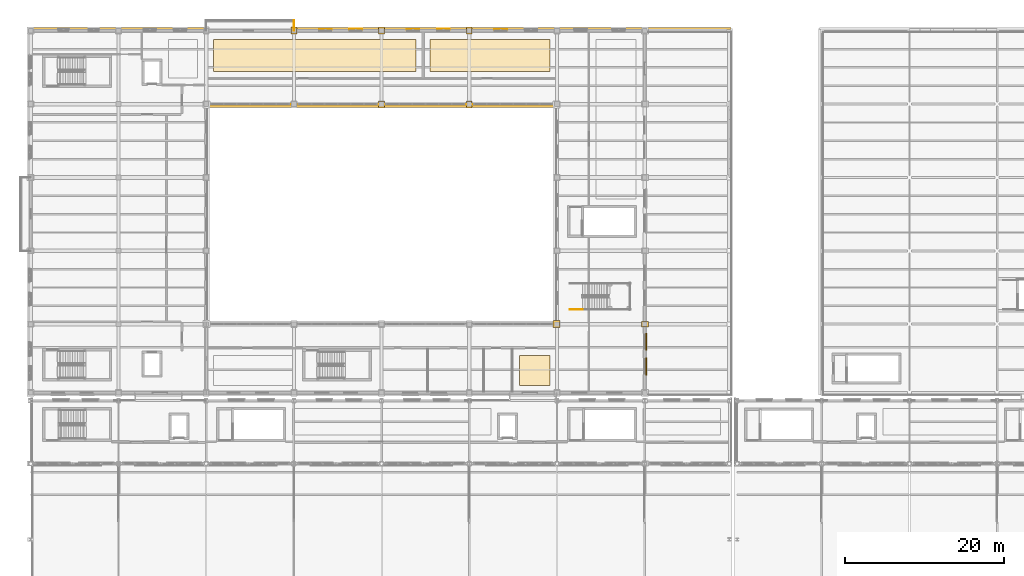
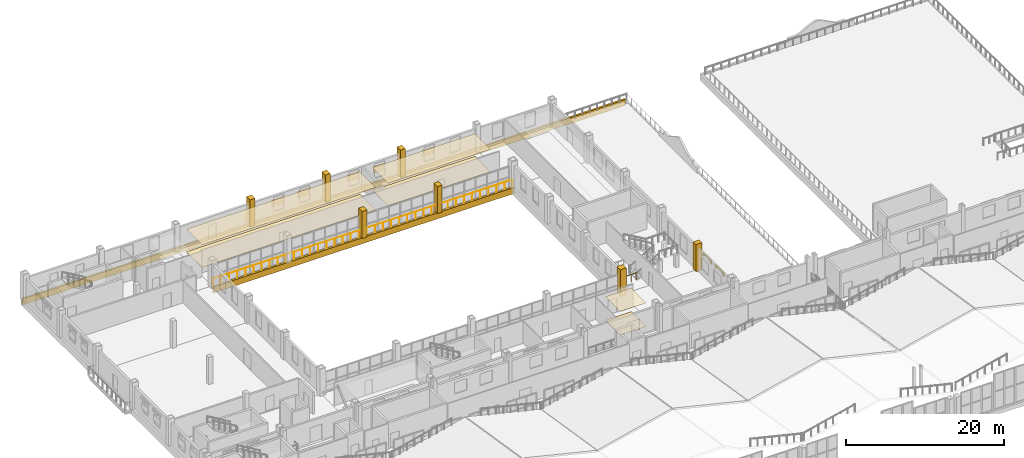
# One storey, part 115 of 120: 17 coverings, 5 shading devices, 3 railings.
"""IFC4 building model written with IfcOpenShell, lengths in metres."""

from ifc_helpers import new_model, si_unit, direction, frame, frame_2d, origin, origin_2d, place, context, subcontext, project, spatial, polyline, rectangle, circle, outline, extrude, material, layer, layer_set, type_object, element, save


model = new_model("IFC4")

# Units and contexts
model_context = context("Model", 3, precision=1e-05, world=origin(), true_north=direction((0.0, 1.0)))
body_context = subcontext(model_context, "Body", "Model", "MODEL_VIEW")
ifc_project = project(units=[si_unit("LENGTHUNIT", "METRE"), si_unit("AREAUNIT", "SQUARE_METRE"), si_unit("VOLUMEUNIT", "CUBIC_METRE"), si_unit("PLANEANGLEUNIT", "RADIAN"), si_unit("MASSUNIT", "GRAM", prefix="KILO")], contexts=[model_context])

# Site, building, storey
site_placement = place(None, origin())
site = spatial("IfcSite", under=ifc_project, at=site_placement, CompositionType="ELEMENT")
building_placement = place(site_placement, origin())
building = spatial("IfcBuilding", under=site, at=building_placement, Name="Caurita Quay Ferry Terminal", CompositionType="ELEMENT")
storey_placement = place(building_placement, frame((0.0, 0.0, 9.89990234375)))
storey = spatial("IfcBuildingStorey", under=building, at=storey_placement, Name="L02", CompositionType="ELEMENT", Elevation=9.89990234375)

# Coverings
ifc_material_1 = material(Name="Acoustic mineral fibre tile", Category="finish")
ifc_layer_1 = layer(ifc_material_1, 0.02001953125, Name="Acoustic mineral-fibre suspended ceiling 20 mm")
ifc_layer_set_1 = layer_set([ifc_layer_1], Name="Acoustic mineral fibre tile")
covering_type_1 = type_object("IfcCoveringType", Name="COV-CEIL-020", PredefinedType="CEILING", material=ifc_layer_set_1)
covering_1_placement = place(storey_placement, frame((0.0, 0.0, 3.51220703125)))
element("IfcCovering", 1, at=covering_1_placement, inside=storey, type_object=covering_type_1, Name="Customs and Excise Port Administration Suite Acoustic Ceiling", PredefinedType="CEILING", context=body_context, shape_type="SweptSolid", body=[
    extrude(outline(polyline([(22.89990234375, 111.89990234375), (48.300048828125, 111.89990234375), (48.300048828125, 115.89990234375), (22.89990234375, 115.89990234375), (22.89990234375, 111.89990234375)])), origin(), (0.0, 0.0, 1.0), 0.019775390625),
])
covering_2_placement = place(storey_placement, frame((0.0, 0.0, 3.51220703125)))
element("IfcCovering", 2, at=covering_2_placement, inside=storey, type_object=covering_type_1, Name="Port IT and Telemetry Server Room Acoustic Ceiling", PredefinedType="CEILING", context=body_context, shape_type="SweptSolid", body=[
    extrude(outline(polyline([(50.10009765625, 111.89990234375), (65.10009765625, 111.89990234375), (65.10009765625, 115.89990234375), (50.10009765625, 115.89990234375), (50.10009765625, 111.89990234375)])), origin(), (0.0, 0.0, 1.0), 0.019775390625),
])
covering_3_placement = place(storey_placement, frame((0.0, 0.0, 3.65478515625)))
element("IfcCovering", 3, at=covering_3_placement, inside=storey, type_object=covering_type_1, Name="Gallery Cleaners Store L02 Acoustic Ceiling", PredefinedType="CEILING", context=body_context, shape_type="SweptSolid", body=[
    extrude(outline(polyline([(61.300048828125, 72.5), (65.10009765625, 72.5), (65.10009765625, 76.300048828125), (61.300048828125, 76.300048828125), (61.300048828125, 72.5)])), origin(), (0.0, 0.0, 1.0), 0.02001953125),
])
ifc_material_2 = material(Name="Coral stone ashlar cladding", Category="masonry")
ifc_layer_2 = layer(ifc_material_2, 0.239990234375, Name="Classical coral-stone entablature and cornice moulding 240 mm")
ifc_layer_set_2 = layer_set([ifc_layer_2], Name="Coral stone ashlar cladding")
covering_type_2 = type_object("IfcCoveringType", Name="COV-ENT-MLD", PredefinedType="MOLDING", material=ifc_layer_set_2)
covering_4_placement = place(storey_placement, frame((87.85009765625, 117.300048828125, -0.849853515625), z_axis=(0.0, 0.0, 1.0), x_axis=(-1.0, 0.0, 0.0)))
element("IfcCovering", 4, at=covering_4_placement, inside=storey, type_object=covering_type_2, Name="L02 Classical Entablature Cornice 002", PredefinedType="MOLDING", context=body_context, shape_type="SweptSolid", body=[
    extrude(rectangle(XDim=88.150146484375, YDim=0.280029296875, at=frame_2d((44.0751953125, 0.0))), origin(), (0.0, 0.0, 1.0), 0.929931640625),
])
covering_5_placement = place(storey_placement, frame((66.0, 107.52001953125, -0.849853515625), z_axis=(0.0, 0.0, 1.0), x_axis=(-1.0, 0.0, 0.0)))
element("IfcCovering", 5, at=covering_5_placement, inside=storey, type_object=covering_type_2, Name="L02 Classical Entablature Cornice 024", PredefinedType="MOLDING", context=body_context, shape_type="SweptSolid", body=[
    extrude(rectangle(XDim=44.0, YDim=0.280029296875, at=frame_2d((22.0, 0.0))), origin(), (0.0, 0.0, 1.0), 0.929931640625),
])
ifc_material_3 = material(Name="Polished marine terrazzo tile", Category="finish")
ifc_layer_3 = layer(ifc_material_3, 0.02490234375, Name="Polished marine terrazzo floor finish 25 mm")
ifc_layer_set_3 = layer_set([ifc_layer_3], Name="Polished marine terrazzo tile")
covering_type_3 = type_object("IfcCoveringType", Name="COV-FLR-025", PredefinedType="FLOORING", material=ifc_layer_set_3)
covering_6_placement = place(storey_placement, origin())
element("IfcCovering", 6, at=covering_6_placement, inside=storey, type_object=covering_type_3, Name="Customs and Excise Port Administration Suite Terrazzo Flooring", PredefinedType="FLOORING", context=body_context, shape_type="SweptSolid", body=[
    extrude(outline(polyline([(22.89990234375, 111.89990234375), (48.300048828125, 111.89990234375), (48.300048828125, 115.89990234375), (22.89990234375, 115.89990234375), (22.89990234375, 111.89990234375)])), origin(), (0.0, 0.0, 1.0), 0.025146484375),
])
covering_7_placement = place(storey_placement, origin())
element("IfcCovering", 7, at=covering_7_placement, inside=storey, type_object=covering_type_3, Name="Port IT and Telemetry Server Room Terrazzo Flooring", PredefinedType="FLOORING", context=body_context, shape_type="SweptSolid", body=[
    extrude(outline(polyline([(50.10009765625, 111.89990234375), (65.10009765625, 111.89990234375), (65.10009765625, 115.89990234375), (50.10009765625, 115.89990234375), (50.10009765625, 111.89990234375)])), origin(), (0.0, 0.0, 1.0), 0.025146484375),
])
covering_8_placement = place(storey_placement, origin())
element("IfcCovering", 8, at=covering_8_placement, inside=storey, type_object=covering_type_3, Name="Gallery Cleaners Store L02 Terrazzo Flooring", PredefinedType="FLOORING", context=body_context, shape_type="SweptSolid", body=[
    extrude(outline(polyline([(61.300048828125, 72.5), (65.10009765625, 72.5), (65.10009765625, 76.300048828125), (61.300048828125, 76.300048828125), (61.300048828125, 72.5)])), origin(), (0.0, 0.0, 1.0), 0.025146484375),
])
ifc_material_4 = material(Name="Warm-white lime stucco masonry", Category="masonry")
ifc_layer_4 = layer(ifc_material_4, 0.179931640625, Name="Classical engaged lime-stucco facade pilaster cladding 180 mm")
ifc_layer_set_4 = layer_set([ifc_layer_4], Name="Warm-white lime stucco masonry")
covering_type_4 = type_object("IfcCoveringType", Name="COV-PIL-CLD", PredefinedType="CLADDING", material=ifc_layer_set_4)
for number, where, z_axis, x_axis, name in (
    (9, (33.0, 117.050048828125, 0.0), (0.0, 0.0, 1.0), (1.0, 0.0, 0.0), "L02 Classical Engaged Pilaster 0340"),
    (10, (44.0, 107.75, 0.0), (0.0, 0.0, 1.0), (1.0, 0.0, 0.0), "L02 Classical Engaged Pilaster 0350"),
    (11, (44.0, 117.050048828125, 0.0), (0.0, 0.0, 1.0), (1.0, 0.0, 0.0), "L02 Classical Engaged Pilaster 0354"),
    (12, (55.0, 107.75, 0.0), (0.0, 0.0, 1.0), (1.0, 0.0, 0.0), "L02 Classical Engaged Pilaster 0362"),
    (13, (55.0, 117.050048828125, 0.0), (0.0, 0.0, 1.0), (1.0, 0.0, 0.0), "L02 Classical Engaged Pilaster 0366"),
):
    element("IfcCovering", number, at=place(storey_placement, frame(where, z_axis=z_axis, x_axis=x_axis)), inside=storey, type_object=covering_type_4, Name=name, PredefinedType="CLADDING", context=body_context, shape_type="SweptSolid", body=[
        extrude(rectangle(XDim=0.719970703125, YDim=0.8798828125, at=origin_2d()), origin(), (0.0, 0.0, 1.0), 4.199951171875),
    ])
covering_9_placement = place(storey_placement, frame((65.949951171875, 80.25, 0.0), z_axis=(0.0, 0.0, 1.0), x_axis=(1.0, 0.0, 0.0)))
element("IfcCovering", 14, at=covering_9_placement, inside=storey, type_object=covering_type_4, Name="L02 Classical Engaged Pilaster 0372", PredefinedType="CLADDING", context=body_context, shape_type="SweptSolid", body=[
    extrude(rectangle(XDim=0.8798828125, YDim=0.8798828125, at=origin_2d()), origin(), (0.0, 0.0, 1.0), 4.199951171875),
])
covering_10_placement = place(storey_placement, frame((77.050048828125, 80.199951171875, 0.0), z_axis=(0.0, 0.0, 1.0), x_axis=(1.0, 0.0, 0.0)))
element("IfcCovering", 15, at=covering_10_placement, inside=storey, type_object=covering_type_4, Name="L02 Classical Engaged Pilaster 0387", PredefinedType="CLADDING", context=body_context, shape_type="SweptSolid", body=[
    extrude(rectangle(XDim=0.8798828125, YDim=0.719970703125, at=origin_2d()), origin(), (0.0, 0.0, 1.0), 4.199951171875),
])
ifc_layer_5 = layer(ifc_material_2, 0.139892578125, Name="Spanish Colonial semicircular arched window surround 140 mm")
ifc_layer_set_5 = layer_set([ifc_layer_5], Name="Coral stone ashlar cladding")
covering_type_5 = type_object("IfcCoveringType", Name="COV-WHD-MLD", PredefinedType="MOLDING", material=ifc_layer_set_5)
covering_11_placement = place(storey_placement, frame((77.199951171875, 73.820068359375, 2.72998046875), z_axis=(0.0, 0.0, 1.0), x_axis=(0.0, 1.0, 0.0)))
element("IfcCovering", 16, at=covering_11_placement, inside=storey, type_object=covering_type_5, Name="L02 Arched Window Surround 091", PredefinedType="MOLDING", context=body_context, shape_type="SweptSolid", body=[
    extrude(outline(polyline([(0.0, 0.0), (0.159912109375, 0.0), (0.159912109375, 0.0400390625), (0.205078125, 0.1728515625), (0.335693359375, 0.292724609375), (0.539306640625, 0.387939453125), (0.795654296875, 0.448974609375), (1.080078125, 0.469970703125), (1.3642578125, 0.448974609375), (1.62060546875, 0.387939453125), (1.82421875, 0.292724609375), (1.954833984375, 0.1728515625), (2.0, 0.0400390625), (2.0, 0.0), (2.159912109375, 0.0), (2.159912109375, 0.550048828125), (0.0, 0.550048828125), (0.0, 0.0)])), frame((0.0, 0.06982421875, 0.0), z_axis=(0.0, -1.0, 0.0), x_axis=(1.0, 0.0, 0.0)), (0.0, 0.0, 1.0), 0.139892578125),
])
covering_12_placement = place(storey_placement, frame((77.199951171875, 76.919921875, 2.72998046875), z_axis=(0.0, 0.0, 1.0), x_axis=(0.0, 1.0, 0.0)))
element("IfcCovering", 17, at=covering_12_placement, inside=storey, type_object=covering_type_5, Name="L02 Arched Window Surround 092", PredefinedType="MOLDING", context=body_context, shape_type="SweptSolid", body=[
    extrude(outline(polyline([(0.0, 0.0), (0.159912109375, 0.0), (0.159912109375, 0.0400390625), (0.205078125, 0.1728515625), (0.335693359375, 0.292724609375), (0.539306640625, 0.387939453125), (0.795654296875, 0.448974609375), (1.080078125, 0.469970703125), (1.364501953125, 0.448974609375), (1.620849609375, 0.387939453125), (1.824462890625, 0.292724609375), (1.955078125, 0.1728515625), (2.000244140625, 0.0400390625), (2.000244140625, 0.0), (2.16015625, 0.0), (2.16015625, 0.550048828125), (0.0, 0.550048828125), (0.0, 0.0)])), frame((0.0, 0.06982421875, 0.0), z_axis=(0.0, -1.0, 0.0), x_axis=(1.0, 0.0, 0.0)), (0.0, 0.0, 1.0), 0.139892578125),
])

# Railings
ifc_material_5 = material(Name="Bronze architectural metalwork", Category="metal")
railing_type = type_object("IfcRailingType", Name="RL-REJA-115", PredefinedType="BALUSTRADE", material=ifc_material_5)
railing_1_placement = place(storey_placement, frame((65.89990234375, 107.75, 0.0)))
element("IfcRailing", 18, at=railing_1_placement, inside=storey, type_object=railing_type, Name="L02 Courtyard Cloister Guard (088)", PredefinedType="BALUSTRADE", context=body_context, shape_type="SweptSolid", body=[
    extrude(circle(Radius=0.02392578125, at=origin_2d()), frame((0.0, 0.0, 1.1259765625), z_axis=(-1.0, 0.0, 0.0), x_axis=(0.0, -1.0, 0.0)), (0.0, 0.0, 1.0), 43.7998046875),
    extrude(circle(Radius=0.02099609375, at=origin_2d()), origin(), (0.0, 0.0, 1.0), 1.101806640625),
    extrude(circle(Radius=0.02099609375, at=origin_2d()), frame((-1.183837890625, 0.0, 0.0)), (0.0, 0.0, 1.0), 1.101806640625),
    extrude(circle(Radius=0.02099609375, at=origin_2d()), frame((-2.36767578125, 0.0, 0.0)), (0.0, 0.0, 1.0), 1.101806640625),
    extrude(circle(Radius=0.02099609375, at=origin_2d()), frame((-3.55126953125, 0.0, 0.0)), (0.0, 0.0, 1.0), 1.101806640625),
    extrude(circle(Radius=0.02099609375, at=origin_2d()), frame((-4.735107421875, 0.0, 0.0)), (0.0, 0.0, 1.0), 1.101806640625),
    extrude(circle(Radius=0.02099609375, at=origin_2d()), frame((-5.9189453125, 0.0, 0.0)), (0.0, 0.0, 1.0), 1.101806640625),
    extrude(circle(Radius=0.02099609375, at=origin_2d()), frame((-7.102783203125, 0.0, 0.0)), (0.0, 0.0, 1.0), 1.101806640625),
    extrude(circle(Radius=0.02099609375, at=origin_2d()), frame((-8.286376953125, 0.0, 0.0)), (0.0, 0.0, 1.0), 1.101806640625),
    extrude(circle(Radius=0.02099609375, at=origin_2d()), frame((-9.47021484375, 0.0, 0.0)), (0.0, 0.0, 1.0), 1.101806640625),
    extrude(circle(Radius=0.02099609375, at=origin_2d()), frame((-10.654052734375, 0.0, 0.0)), (0.0, 0.0, 1.0), 1.101806640625),
    extrude(circle(Radius=0.02099609375, at=origin_2d()), frame((-11.837890625, 0.0, 0.0)), (0.0, 0.0, 1.0), 1.101806640625),
    extrude(circle(Radius=0.02099609375, at=origin_2d()), frame((-13.021484375, 0.0, 0.0)), (0.0, 0.0, 1.0), 1.101806640625),
    extrude(circle(Radius=0.02099609375, at=origin_2d()), frame((-14.205322265625, 0.0, 0.0)), (0.0, 0.0, 1.0), 1.101806640625),
    extrude(circle(Radius=0.02099609375, at=origin_2d()), frame((-15.38916015625, 0.0, 0.0)), (0.0, 0.0, 1.0), 1.101806640625),
    extrude(circle(Radius=0.02099609375, at=origin_2d()), frame((-16.572998046875, 0.0, 0.0)), (0.0, 0.0, 1.0), 1.101806640625),
    extrude(circle(Radius=0.02099609375, at=origin_2d()), frame((-17.756591796875, 0.0, 0.0)), (0.0, 0.0, 1.0), 1.101806640625),
    extrude(circle(Radius=0.02099609375, at=origin_2d()), frame((-18.9404296875, 0.0, 0.0)), (0.0, 0.0, 1.0), 1.101806640625),
    extrude(circle(Radius=0.02099609375, at=origin_2d()), frame((-20.124267578125, 0.0, 0.0)), (0.0, 0.0, 1.0), 1.101806640625),
    extrude(circle(Radius=0.02099609375, at=origin_2d()), frame((-21.30810546875, 0.0, 0.0)), (0.0, 0.0, 1.0), 1.101806640625),
    extrude(circle(Radius=0.02099609375, at=origin_2d()), frame((-22.49169921875, 0.0, 0.0)), (0.0, 0.0, 1.0), 1.101806640625),
    extrude(circle(Radius=0.02099609375, at=origin_2d()), frame((-23.675537109375, 0.0, 0.0)), (0.0, 0.0, 1.0), 1.101806640625),
    extrude(circle(Radius=0.02099609375, at=origin_2d()), frame((-24.859375, 0.0, 0.0)), (0.0, 0.0, 1.0), 1.101806640625),
    extrude(circle(Radius=0.02099609375, at=origin_2d()), frame((-26.043212890625, 0.0, 0.0)), (0.0, 0.0, 1.0), 1.101806640625),
    extrude(circle(Radius=0.02099609375, at=origin_2d()), frame((-27.226806640625, 0.0, 0.0)), (0.0, 0.0, 1.0), 1.101806640625),
    extrude(circle(Radius=0.02099609375, at=origin_2d()), frame((-28.41064453125, 0.0, 0.0)), (0.0, 0.0, 1.0), 1.101806640625),
    extrude(circle(Radius=0.02099609375, at=origin_2d()), frame((-29.594482421875, 0.0, 0.0)), (0.0, 0.0, 1.0), 1.101806640625),
    extrude(circle(Radius=0.02099609375, at=origin_2d()), frame((-30.7783203125, 0.0, 0.0)), (0.0, 0.0, 1.0), 1.101806640625),
    extrude(circle(Radius=0.02099609375, at=origin_2d()), frame((-31.9619140625, 0.0, 0.0)), (0.0, 0.0, 1.0), 1.101806640625),
    extrude(circle(Radius=0.02099609375, at=origin_2d()), frame((-33.145751953125, 0.0, 0.0)), (0.0, 0.0, 1.0), 1.101806640625),
    extrude(circle(Radius=0.02099609375, at=origin_2d()), frame((-34.32958984375, 0.0, 0.0)), (0.0, 0.0, 1.0), 1.101806640625),
    extrude(circle(Radius=0.02099609375, at=origin_2d()), frame((-35.513427734375, 0.0, 0.0)), (0.0, 0.0, 1.0), 1.101806640625),
    extrude(circle(Radius=0.02099609375, at=origin_2d()), frame((-36.697021484375, 0.0, 0.0)), (0.0, 0.0, 1.0), 1.101806640625),
    extrude(circle(Radius=0.02099609375, at=origin_2d()), frame((-37.880859375, 0.0, 0.0)), (0.0, 0.0, 1.0), 1.101806640625),
    extrude(circle(Radius=0.02099609375, at=origin_2d()), frame((-39.064697265625, 0.0, 0.0)), (0.0, 0.0, 1.0), 1.101806640625),
    extrude(circle(Radius=0.02099609375, at=origin_2d()), frame((-40.24853515625, 0.0, 0.0)), (0.0, 0.0, 1.0), 1.101806640625),
    extrude(circle(Radius=0.02099609375, at=origin_2d()), frame((-41.43212890625, 0.0, 0.0)), (0.0, 0.0, 1.0), 1.101806640625),
    extrude(circle(Radius=0.02099609375, at=origin_2d()), frame((-42.615966796875, 0.0, 0.0)), (0.0, 0.0, 1.0), 1.101806640625),
    extrude(circle(Radius=0.02099609375, at=origin_2d()), frame((-43.7998046875, 0.0, 0.0)), (0.0, 0.0, 1.0), 1.101806640625),
])
railing_2_placement = place(storey_placement, frame((33.02001953125, 118.280029296875, 0.0)))
element("IfcRailing", 19, at=railing_2_placement, inside=storey, type_object=railing_type, Name="L02 Customs Rejas Balcony Balustrade (124)", PredefinedType="BALUSTRADE", context=body_context, shape_type="SweptSolid", body=[
    extrude(circle(Radius=0.02392578125, at=origin_2d()), frame((0.0, 0.0, 1.1259765625), z_axis=(0.0, -1.0, 0.0), x_axis=(1.0, 0.0, 0.0)), (0.0, 0.0, 1.0), 1.22998046875),
    extrude(circle(Radius=0.02099609375, at=origin_2d()), origin(), (0.0, 0.0, 1.0), 1.101806640625),
    extrude(circle(Radius=0.02099609375, at=origin_2d()), frame((0.0, -0.614990234375, 0.0)), (0.0, 0.0, 1.0), 1.101806640625),
    extrude(circle(Radius=0.02099609375, at=origin_2d()), frame((0.0, -1.22998046875, 0.0)), (0.0, 0.0, 1.0), 1.101806640625),
])
railing_3_placement = place(storey_placement, frame((67.60009765625, 82.050048828125, 0.0)))
element("IfcRailing", 20, at=railing_3_placement, inside=storey, type_object=railing_type, Name="L02 ST-14 stair guard 8", PredefinedType="BALUSTRADE", context=body_context, shape_type="SweptSolid", body=[
    extrude(circle(Radius=0.02392578125, at=origin_2d()), frame((0.0, 0.0, 1.1259765625), z_axis=(1.0, 0.0, 0.0), x_axis=(0.0, 1.0, 0.0)), (0.0, 0.0, 1.0), 1.599853515625),
    extrude(circle(Radius=0.02099609375, at=origin_2d()), origin(), (0.0, 0.0, 1.0), 1.101806640625),
    extrude(circle(Radius=0.02099609375, at=origin_2d()), frame((0.7998046875, 0.0, 0.0)), (0.0, 0.0, 1.0), 1.101806640625),
    extrude(circle(Radius=0.02099609375, at=origin_2d()), frame((1.599853515625, 0.0, 0.0)), (0.0, 0.0, 1.0), 1.101806640625),
])

# Shading devices
shading_device_type_1 = type_object("IfcShadingDeviceType", Name="SHD-JAL-01", PredefinedType="JALOUSIE", material=ifc_material_5)
for number, where, z_axis, x_axis, name in (
    (21, (40.75, 117.193115234375, 1.56884765625), (0.0, 0.0, 1.0), (-1.0, 0.0, 0.0), "L02 Tropical Window Sun-Breaker 017"),
    (22, (51.75, 117.193115234375, 1.56884765625), (0.0, 0.0, 1.0), (-1.0, 0.0, 0.0), "L02 Tropical Window Sun-Breaker 019"),
):
    element("IfcShadingDevice", number, at=place(storey_placement, frame(where, z_axis=z_axis, x_axis=x_axis)), inside=storey, type_object=shading_device_type_1, Name=name, PredefinedType="JALOUSIE", context=body_context, shape_type="SweptSolid", body=[
        extrude(rectangle(XDim=1.60009765625, YDim=0.080078125, at=origin_2d()), origin(), (0.0, 0.0, 1.0), 1.012451171875),
    ])
ifc_material_6 = material(Name="Tropical mahogany hardwood", Category="wood")
shading_device_type_2 = type_object("IfcShadingDeviceType", Name="SHD-SHT-01", PredefinedType="SHUTTER", material=ifc_material_6)
for number, where, z_axis, x_axis, name in (
    (23, (36.949951171875, 117.18310546875, 1.56884765625), (0.0, 0.0, 1.0), (-1.0, 0.0, 0.0), "L02 Tropical Window Sun-Breaker 018"),
    (24, (47.949951171875, 117.18310546875, 1.56884765625), (0.0, 0.0, 1.0), (-1.0, 0.0, 0.0), "L02 Tropical Window Sun-Breaker 020"),
    (25, (58.949951171875, 117.18310546875, 1.56884765625), (0.0, 0.0, 1.0), (-1.0, 0.0, 0.0), "L02 Tropical Window Sun-Breaker 022"),
):
    element("IfcShadingDevice", number, at=place(storey_placement, frame(where, z_axis=z_axis, x_axis=x_axis)), inside=storey, type_object=shading_device_type_2, Name=name, PredefinedType="SHUTTER", context=body_context, shape_type="SweptSolid", body=[
        extrude(rectangle(XDim=1.60009765625, YDim=0.06005859375, at=origin_2d()), origin(), (0.0, 0.0, 1.0), 1.012451171875),
    ])

save(model, "model.ifc")
